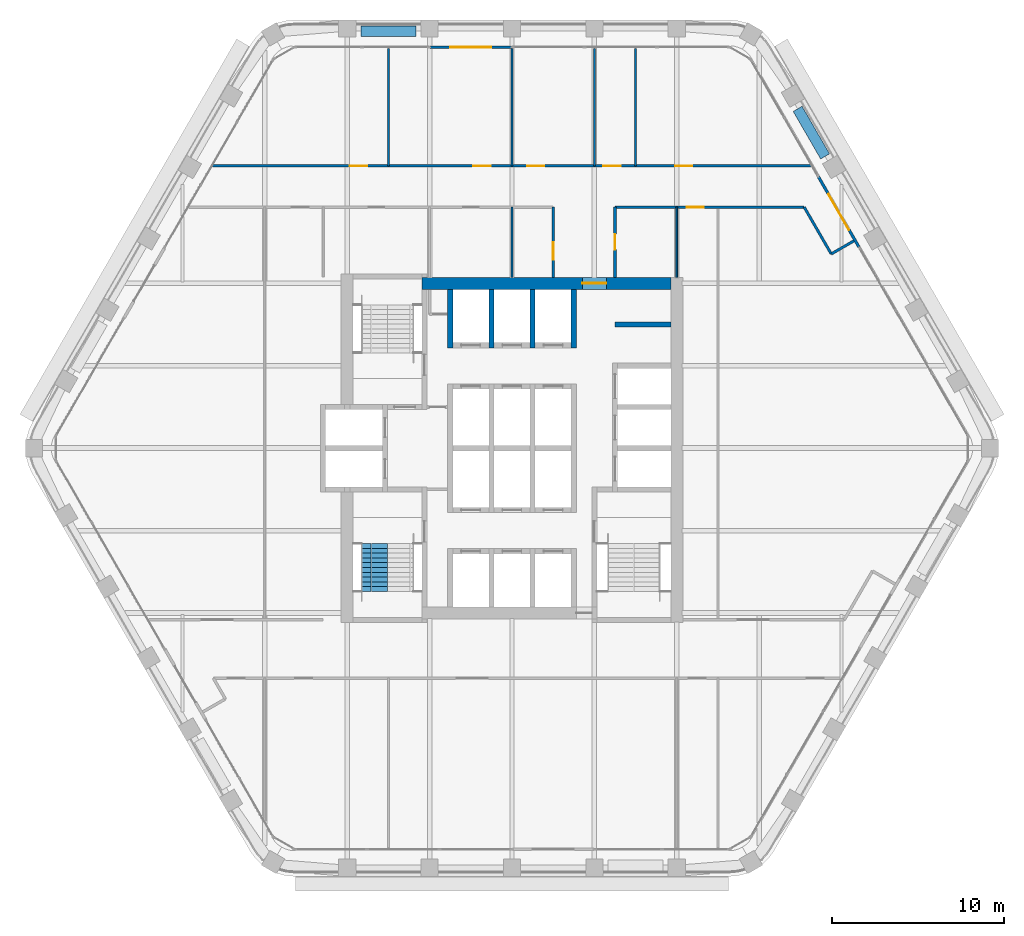
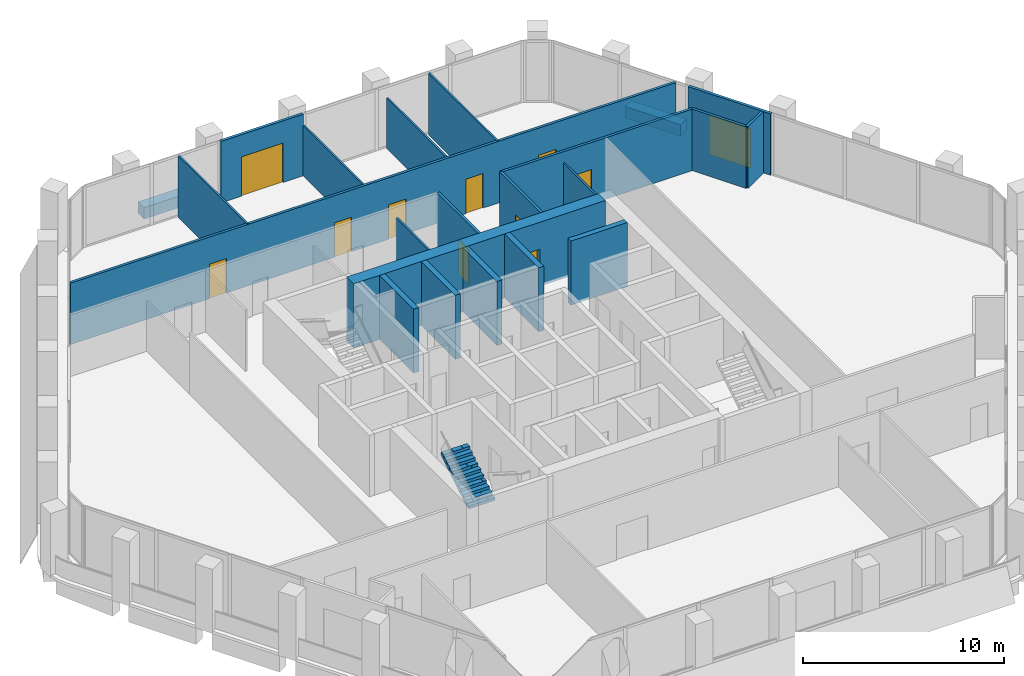
# One storey, part 11 of 15: 22 walls, 11 doors, 1 stair flight, 11 openings, 1 element without a shape of its own.
"""IFC4 building model written with IfcOpenShell, lengths in metres."""

from ifc_helpers import new_model, si_unit, direction, frame, frame_2d, origin, place, context, subcontext, project, spatial, polyline, rectangle, outline, extrude, material, layer, layer_set, type_object, element, fill, aggregate, save


model = new_model("IFC4")

# Units and contexts
model_context = context("Model", 3, precision=1e-05, world=origin(), true_north=direction((0.0, 1.0)))
body_context = subcontext(model_context, "Body", "Model", "MODEL_VIEW")
ifc_project = project(units=[si_unit("LENGTHUNIT", "METRE"), si_unit("AREAUNIT", "SQUARE_METRE"), si_unit("VOLUMEUNIT", "CUBIC_METRE"), si_unit("PLANEANGLEUNIT", "RADIAN"), si_unit("MASSUNIT", "GRAM", prefix="KILO")], contexts=[model_context])

# Site, building, storey
site_placement = place(None, origin())
site = spatial("IfcSite", under=ifc_project, at=site_placement, CompositionType="ELEMENT")
building_placement = place(site_placement, origin())
building = spatial("IfcBuilding", under=site, at=building_placement, Name="Kolab Exchange Tower", CompositionType="ELEMENT")
storey_placement = place(building_placement, frame((0.0, 0.0, 158.300048828125)))
storey = spatial("IfcBuildingStorey", under=building, at=storey_placement, Name="L32", CompositionType="ELEMENT", Elevation=158.300048828125)

# Wall, opening, door
ifc_material_1 = material(Name="Concrete C60/75", Category="concrete")
ifc_layer_1 = layer(ifc_material_1, 0.699951171875)
ifc_layer_set_1 = layer_set([ifc_layer_1], Name="Concrete C60/75")
wall_type_1 = type_object("IfcWallType", Name="CORE WALL 700 C60/75", PredefinedType="SHEAR", material=ifc_layer_set_1)
wall_1_placement = place(storey_placement, frame((-5.25, 9.60009765625, -0.150146484375), z_axis=(0.0, 0.0, 1.0), x_axis=(1.0, 0.0, 0.0)))
wall_1 = element("IfcWall", 1, at=wall_1_placement, inside=storey, type_object=wall_type_1, Name="wall/L32/core/031", PredefinedType="SHEAR", context=body_context, shape_type="SweptSolid", body=[
    extrude(rectangle(XDim=14.5, YDim=0.699951171875, at=frame_2d((7.25, 0.0))), origin(), (0.0, 0.0, 1.0), 3.900146484375),
])
opening_1_placement = place(wall_1_placement, frame((9.35009765625, 0.0, 0.14990234375)))
opening_1 = element("IfcOpeningElement", 2, at=opening_1_placement, cuts=wall_1, Name="Opening D5-010", PredefinedType="OPENING", context=body_context, shape_type="SweptSolid", body=[
    extrude(rectangle(XDim=1.39990234375, YDim=2.10009765625, at=frame_2d((0.699951171875, 1.050048828125))), frame((0.0, 0.35986328125, 0.0), z_axis=(0.0, -1.0, 0.0), x_axis=(1.0, 0.0, 0.0)), (0.0, 0.0, 1.0), 0.719970703125),
])
ifc_material_2 = material(Name="Steel S235", Category="steel")
door_type_1 = type_object("IfcDoorType", Name="CORE DOOR 1400 EI 120", OperationType="DOUBLE_DOOR_SINGLE_SWING", PredefinedType="DOOR", material=ifc_material_2)
door_1_placement = place(opening_1_placement, frame((1.39990234375, 0.0, 0.0), z_axis=(0.0, 0.0, 1.0), x_axis=(-1.0, 0.0, 0.0)))
door_1 = element("IfcDoor", 3, at=door_1_placement, inside=storey, type_object=door_type_1, Name="Core lobby door", OperationType="SINGLE_SWING_LEFT", OverallHeight=2.10009765625, OverallWidth=1.39990234375, PredefinedType="DOOR", context=body_context, shape_type="SweptSolid", body=[
    extrude(rectangle(XDim=1.39990234375, YDim=2.10009765625, at=frame_2d((0.699951171875, 1.050048828125))), frame((0.0, 0.02490234375, 0.0), z_axis=(0.0, -1.0, 0.0), x_axis=(1.0, 0.0, 0.0)), (0.0, 0.0, 1.0), 0.050048828125),
])
fill(opening_1, door_1)

ifc_material_3 = material(Name="Aluminium EN AW-6063 T6", Category="aluminium")
ifc_layer_2 = layer(ifc_material_3, 0.159912109375)
ifc_layer_set_2 = layer_set([ifc_layer_2], Name="Aluminium EN AW-6063 T6")
wall_type_2 = type_object("IfcWallType", Name="DOOR SURROUND WALL 160 ALUMINIUM FRAMED", PredefinedType="PARTITIONING", material=ifc_layer_set_2)
wall_2_placement = place(storey_placement, frame((-4.77001953125, 23.361572265625, 0.0), z_axis=(0.0, 0.0, 1.0), x_axis=(1.0, 0.0, 0.0)))
wall_2 = element("IfcWall", 4, at=wall_2_placement, inside=storey, type_object=wall_type_2, Name="Door surround wall", PredefinedType="PARTITIONING", context=body_context, shape_type="SweptSolid", body=[
    extrude(rectangle(XDim=4.739990234375, YDim=0.159912109375, at=frame_2d((2.3701171875, 0.0))), origin(), (0.0, 0.0, 1.0), 3.75),
])
opening_2_placement = place(wall_2_placement, frame((1.169921875, 0.0, 0.0)))
opening_2 = element("IfcOpeningElement", 5, at=opening_2_placement, cuts=wall_2, Name="Opening GD1-064", PredefinedType="OPENING", context=body_context, shape_type="SweptSolid", body=[
    extrude(rectangle(XDim=2.39990234375, YDim=2.39990234375, at=frame_2d((1.199951171875, 1.199951171875))), frame((0.0, 0.08984375, 0.0), z_axis=(0.0, -1.0, 0.0), x_axis=(1.0, 0.0, 0.0)), (0.0, 0.0, 1.0), 0.179931640625),
])
door_type_2 = type_object("IfcDoorType", Name="LOGGIA SLIDING GLASS DOOR 2400 X 2400", OperationType="DOUBLE_DOOR_SINGLE_SWING", PredefinedType="DOOR", material=ifc_material_3)
door_2_placement = place(opening_2_placement, origin())
door_2 = element("IfcDoor", 6, at=door_2_placement, inside=storey, type_object=door_type_2, Name="Loggia door", OperationType="DOUBLE_DOOR_SLIDING", OverallHeight=2.39990234375, OverallWidth=2.39990234375, PredefinedType="DOOR", context=body_context, shape_type="SweptSolid", body=[
    extrude(rectangle(XDim=2.39990234375, YDim=2.39990234375, at=frame_2d((1.199951171875, 1.199951171875))), frame((0.0, 0.02490234375, 0.0), z_axis=(0.0, -1.0, 0.0), x_axis=(1.0, 0.0, 0.0)), (0.0, 0.0, 1.0), 0.050048828125),
])
fill(opening_2, door_2)

wall_3_placement = place(storey_placement, frame((17.8466796875, 15.811767578125, 0.0), z_axis=(0.0, 0.0, 1.0), x_axis=(0.5000167099, -0.866015756104, 0.0)))
wall_3 = element("IfcWall", 7, at=wall_3_placement, inside=storey, type_object=wall_type_2, Name="Door surround wall", PredefinedType="PARTITIONING", context=body_context, shape_type="SweptSolid", body=[
    extrude(rectangle(XDim=4.739990234375, YDim=0.159912109375, at=frame_2d((2.3701171875, 0.0))), origin(), (0.0, 0.0, 1.0), 3.75),
])
opening_3_placement = place(wall_3_placement, frame((1.169921875, 0.0, 0.0)))
opening_3 = element("IfcOpeningElement", 8, at=opening_3_placement, cuts=wall_3, Name="Opening GD1-065", PredefinedType="OPENING", context=body_context, shape_type="SweptSolid", body=[
    extrude(rectangle(XDim=2.39990234375, YDim=2.39990234375, at=frame_2d((1.199951171875, 1.199951171875))), frame((0.0, 0.08984375, 0.0), z_axis=(0.0, -1.0, 0.0), x_axis=(1.0, 0.0, 0.0)), (0.0, 0.0, 1.0), 0.179931640625),
])
door_3_placement = place(opening_3_placement, origin())
door_3 = element("IfcDoor", 9, at=door_3_placement, inside=storey, type_object=door_type_2, Name="Loggia door", OperationType="DOUBLE_DOOR_SLIDING", OverallHeight=2.39990234375, OverallWidth=2.39990234375, PredefinedType="DOOR", context=body_context, shape_type="SweptSolid", body=[
    extrude(rectangle(XDim=2.39990234375, YDim=2.39990234375, at=frame_2d((1.199951171875, 1.199951171875))), frame((0.0, 0.02490234375, 0.0), z_axis=(0.0, -1.0, 0.0), x_axis=(1.0, 0.0, 0.0)), (0.0, 0.0, 1.0), 0.050048828125),
])
fill(opening_3, door_3)

# Walls
ifc_material_4 = material(Name="Concrete C50/60", Category="concrete")
ifc_layer_3 = layer(ifc_material_4, 0.300048828125)
ifc_layer_set_3 = layer_set([ifc_layer_3], Name="Concrete C50/60")
wall_type_3 = type_object("IfcWallType", Name="LIFT SHAFT WALL 300 C50/60", PredefinedType="STANDARD", material=ifc_layer_set_3)
wall_4_placement = place(storey_placement, frame((6.0, 7.199951171875, -0.150146484375), z_axis=(0.0, 0.0, 1.0), x_axis=(1.0, 0.0, 0.0)))
element("IfcWall", 10, at=wall_4_placement, inside=storey, type_object=wall_type_3, Name="wall/L32/core/030", PredefinedType="STANDARD", context=body_context, shape_type="SweptSolid", body=[
    extrude(rectangle(XDim=3.25, YDim=0.300048828125, at=frame_2d((1.625, 0.0))), origin(), (0.0, 0.0, 1.0), 3.900146484375),
])
for number, where, z_axis, x_axis, name in (
    (11, (-3.60009765625, 5.85009765625, -0.150146484375), (0.0, 0.0, 1.0), (0.0, 1.0, 0.0), "wall/L32/core/045"),
    (12, (-1.199951171875, 5.85009765625, -0.150146484375), (0.0, 0.0, 1.0), (0.0, 1.0, 0.0), "wall/L32/core/048"),
    (13, (1.199951171875, 5.85009765625, -0.150146484375), (0.0, 0.0, 1.0), (0.0, 1.0, 0.0), "wall/L32/core/051"),
    (14, (3.60009765625, 5.85009765625, -0.150146484375), (0.0, 0.0, 1.0), (0.0, 1.0, 0.0), "wall/L32/core/054"),
):
    element("IfcWall", number, at=place(storey_placement, frame(where, z_axis=z_axis, x_axis=x_axis)), inside=storey, type_object=wall_type_3, Name=name, PredefinedType="STANDARD", context=body_context, shape_type="SweptSolid", body=[
        extrude(rectangle(XDim=3.39990234375, YDim=0.300048828125, at=frame_2d((1.699951171875, 0.0))), origin(), (0.0, 0.0, 1.0), 3.900146484375),
    ])
ifc_material_5 = material(Name="Gypsum board", Category="gypsum")
ifc_layer_4 = layer(ifc_material_5, 0.10009765625)
ifc_layer_set_4 = layer_set([ifc_layer_4], Name="Gypsum board")
wall_type_4 = type_object("IfcWallType", Name="PARTITION 100", PredefinedType="PARTITIONING", material=ifc_layer_set_4)
wall_5_placement = place(storey_placement, frame((9.60009765625, 9.949951171875, 0.0), z_axis=(0.0, 0.0, 1.0), x_axis=(0.0, 1.0, 0.0)))
element("IfcWall", 15, at=wall_5_placement, inside=storey, type_object=wall_type_4, Name="Partition 003", PredefinedType="PARTITIONING", context=body_context, shape_type="SweptSolid", body=[
    extrude(rectangle(XDim=4.091552734375, YDim=0.10009765625, at=frame_2d((2.0458984375, 0.0))), origin(), (0.0, 0.0, 1.0), 3.06591796875),
])
wall_6_placement = place(storey_placement, frame((7.199951171875, 16.44140625, 0.0), z_axis=(0.0, 0.0, 1.0), x_axis=(0.0, 1.0, 0.0)))
element("IfcWall", 16, at=wall_6_placement, inside=storey, type_object=wall_type_4, Name="Partition 004", PredefinedType="PARTITIONING", context=body_context, shape_type="SweptSolid", body=[
    extrude(rectangle(XDim=6.830078125, YDim=0.10009765625, at=frame_2d((3.4150390625, 0.0))), origin(), (0.0, 0.0, 1.0), 3.75),
])
wall_7_placement = place(storey_placement, frame((4.800048828125, 16.44140625, 0.0), z_axis=(0.0, 0.0, 1.0), x_axis=(0.0, 1.0, 0.0)))
element("IfcWall", 17, at=wall_7_placement, inside=storey, type_object=wall_type_4, Name="Partition 006", PredefinedType="PARTITIONING", context=body_context, shape_type="SweptSolid", body=[
    extrude(rectangle(XDim=6.830078125, YDim=0.10009765625, at=frame_2d((3.4150390625, 0.0))), origin(), (0.0, 0.0, 1.0), 3.06591796875),
])
wall_8_placement = place(storey_placement, frame((0.0, 9.949951171875, 0.0), z_axis=(0.0, 0.0, 1.0), x_axis=(0.0, 1.0, 0.0)))
element("IfcWall", 18, at=wall_8_placement, inside=storey, type_object=wall_type_4, Name="Partition 008", PredefinedType="PARTITIONING", context=body_context, shape_type="SweptSolid", body=[
    extrude(rectangle(XDim=4.091552734375, YDim=0.10009765625, at=frame_2d((2.0458984375, 0.0))), origin(), (0.0, 0.0, 1.0), 3.06591796875),
])
wall_9_placement = place(storey_placement, frame((0.0, 16.44140625, 0.0), z_axis=(0.0, 0.0, 1.0), x_axis=(0.0, 1.0, 0.0)))
element("IfcWall", 19, at=wall_9_placement, inside=storey, type_object=wall_type_4, Name="Partition 009", PredefinedType="PARTITIONING", context=body_context, shape_type="SweptSolid", body=[
    extrude(rectangle(XDim=6.840087890625, YDim=0.10009765625, at=frame_2d((3.419921875, 0.0))), origin(), (0.0, 0.0, 1.0), 3.06591796875),
])
wall_10_placement = place(storey_placement, frame((-7.199951171875, 16.44140625, 0.0), z_axis=(0.0, 0.0, 1.0), x_axis=(0.0, 1.0, 0.0)))
element("IfcWall", 20, at=wall_10_placement, inside=storey, type_object=wall_type_4, Name="Partition 013", PredefinedType="PARTITIONING", context=body_context, shape_type="SweptSolid", body=[
    extrude(rectangle(XDim=6.830078125, YDim=0.10009765625, at=frame_2d((3.4150390625, 0.0))), origin(), (0.0, 0.0, 1.0), 3.75),
])

# Wall, opening, door
ifc_layer_5 = layer(ifc_material_5, 0.14990234375)
ifc_layer_set_5 = layer_set([ifc_layer_5], Name="Gypsum board")
wall_type_5 = type_object("IfcWallType", Name="PARTITION 150 FIRE-RATED", PredefinedType="PARTITIONING", material=ifc_layer_set_5)
wall_11_placement = place(storey_placement, frame((6.0, 9.949951171875, 0.0), z_axis=(0.0, 0.0, 1.0), x_axis=(0.0, 1.0, 0.0)))
wall_11 = element("IfcWall", 21, at=wall_11_placement, inside=storey, type_object=wall_type_5, Name="Partition 005", PredefinedType="PARTITIONING", context=body_context, shape_type="SweptSolid", body=[
    extrude(rectangle(XDim=4.091552734375, YDim=0.14990234375, at=frame_2d((2.0458984375, 0.0))), origin(), (0.0, 0.0, 1.0), 3.75),
])
opening_4_placement = place(wall_11_placement, frame((1.620849609375, 0.0, 0.0)))
opening_4 = element("IfcOpeningElement", 22, at=opening_4_placement, cuts=wall_11, Name="Opening D3-045", PredefinedType="OPENING", context=body_context, shape_type="SweptSolid", body=[
    extrude(rectangle(XDim=0.89990234375, YDim=2.10009765625, at=frame_2d((0.449951171875, 1.050048828125))), frame((0.0, 0.0849609375, 0.0), z_axis=(0.0, -1.0, 0.0), x_axis=(1.0, 0.0, 0.0)), (0.0, 0.0, 1.0), 0.169921875),
])
door_type_3 = type_object("IfcDoorType", Name="FLUSH DOOR 900 FD60", OperationType="SINGLE_SWING_LEFT", PredefinedType="DOOR", material=ifc_material_2)
door_4_placement = place(opening_4_placement, frame((0.89990234375, 0.0, 0.0), z_axis=(0.0, 0.0, 1.0), x_axis=(-1.0, 0.0, 0.0)))
door_4 = element("IfcDoor", 23, at=door_4_placement, inside=storey, type_object=door_type_3, Name="Door L32-029", OperationType="SINGLE_SWING_RIGHT", OverallHeight=2.10009765625, OverallWidth=0.89990234375, PredefinedType="DOOR", context=body_context, shape_type="SweptSolid", body=[
    extrude(rectangle(XDim=0.89990234375, YDim=2.10009765625, at=frame_2d((0.449951171875, 1.050048828125))), frame((0.0, 0.02490234375, 0.0), z_axis=(0.0, -1.0, 0.0), x_axis=(1.0, 0.0, 0.0)), (0.0, 0.0, 1.0), 0.050048828125),
])
fill(opening_4, door_4)

wall_12_placement = place(storey_placement, frame((2.39990234375, 9.949951171875, 0.0), z_axis=(0.0, 0.0, 1.0), x_axis=(0.0, 1.0, 0.0)))
wall_12 = element("IfcWall", 24, at=wall_12_placement, inside=storey, type_object=wall_type_5, Name="Partition 007", PredefinedType="PARTITIONING", context=body_context, shape_type="SweptSolid", body=[
    extrude(rectangle(XDim=4.091552734375, YDim=0.14990234375, at=frame_2d((2.0458984375, 0.0))), origin(), (0.0, 0.0, 1.0), 3.75),
])
opening_5_placement = place(wall_12_placement, frame((1.035400390625, 0.0, 0.0)))
opening_5 = element("IfcOpeningElement", 25, at=opening_5_placement, cuts=wall_12, Name="Opening D1-447", PredefinedType="OPENING", context=body_context, shape_type="SweptSolid", body=[
    extrude(rectangle(XDim=1.0, YDim=2.10009765625, at=frame_2d((0.5, 1.050048828125))), frame((0.0, 0.0849609375, 0.0), z_axis=(0.0, -1.0, 0.0), x_axis=(1.0, 0.0, 0.0)), (0.0, 0.0, 1.0), 0.169921875),
])
door_type_4 = type_object("IfcDoorType", Name="FLUSH DOOR 1000 FD60", OperationType="SINGLE_SWING_LEFT", PredefinedType="DOOR", material=ifc_material_2)
door_5_placement = place(opening_5_placement, origin())
door_5 = element("IfcDoor", 26, at=door_5_placement, inside=storey, type_object=door_type_4, Name="Door L32-032", OperationType="SINGLE_SWING_LEFT", OverallHeight=2.10009765625, OverallWidth=1.0, PredefinedType="DOOR", context=body_context, shape_type="SweptSolid", body=[
    extrude(rectangle(XDim=1.0, YDim=2.10009765625, at=frame_2d((0.5, 1.050048828125))), frame((0.0, 0.02490234375, 0.0), z_axis=(0.0, -1.0, 0.0), x_axis=(1.0, 0.0, 0.0)), (0.0, 0.0, 1.0), 0.050048828125),
])
fill(opening_5, door_5)

# Walls
wall_13_placement = place(storey_placement, frame((17.021240234375, 14.04150390625, 0.0), z_axis=(0.0, 0.0, 1.0), x_axis=(0.499957296199, -0.866050057432, 0.0)))
element("IfcWall", 27, at=wall_13_placement, inside=storey, type_object=wall_type_5, Name="Partition 018", PredefinedType="PARTITIONING", context=body_context, shape_type="SweptSolid", body=[
    extrude(rectangle(XDim=3.149658203125, YDim=0.14990234375, at=frame_2d((1.57470703125, 0.0))), origin(), (0.0, 0.0, 1.0), 3.75),
])
wall_14_placement = place(storey_placement, frame((18.595947265625, 11.313720703125, 0.0), z_axis=(0.0, 0.0, 1.0), x_axis=(0.866030456496, 0.499991248344, 0.0)))
element("IfcWall", 28, at=wall_14_placement, inside=storey, type_object=wall_type_5, Name="Partition 022", PredefinedType="PARTITIONING", context=body_context, shape_type="SweptSolid", body=[
    extrude(rectangle(XDim=1.52001953125, YDim=0.14990234375, at=frame_2d((0.760009765625, 0.0))), origin(), (0.0, 0.0, 1.0), 3.75),
])

# Wall, opening, door
wall_15_placement = place(storey_placement, frame((6.0, 14.04150390625, 0.0), z_axis=(0.0, 0.0, 1.0), x_axis=(1.0, 0.0, 0.0)))
wall_15 = element("IfcWall", 29, at=wall_15_placement, inside=storey, type_object=wall_type_5, Name="Partition 028", PredefinedType="PARTITIONING", context=body_context, shape_type="SweptSolid", body=[
    extrude(rectangle(XDim=11.021240234375, YDim=0.14990234375, at=frame_2d((5.5107421875, 0.0))), origin(), (0.0, 0.0, 1.0), 3.75),
])
opening_6_placement = place(wall_15_placement, frame((4.175048828125, 0.0, 0.0)))
opening_6 = element("IfcOpeningElement", 30, at=opening_6_placement, cuts=wall_15, Name="Opening D1-457", PredefinedType="OPENING", context=body_context, shape_type="SweptSolid", body=[
    extrude(rectangle(XDim=1.0, YDim=2.10009765625, at=frame_2d((0.5, 1.050048828125))), frame((0.0, 0.0849609375, 0.0), z_axis=(0.0, -1.0, 0.0), x_axis=(1.0, 0.0, 0.0)), (0.0, 0.0, 1.0), 0.169921875),
])
door_6_placement = place(opening_6_placement, frame((1.0, 0.0, 0.0), z_axis=(0.0, 0.0, 1.0), x_axis=(-1.0, 0.0, 0.0)))
door_6 = element("IfcDoor", 31, at=door_6_placement, inside=storey, type_object=door_type_4, Name="Door L32-043", OperationType="SINGLE_SWING_LEFT", OverallHeight=2.10009765625, OverallWidth=1.0, PredefinedType="DOOR", context=body_context, shape_type="SweptSolid", body=[
    extrude(rectangle(XDim=1.0, YDim=2.10009765625, at=frame_2d((0.5, 1.050048828125))), frame((0.0, 0.02490234375, 0.0), z_axis=(0.0, -1.0, 0.0), x_axis=(1.0, 0.0, 0.0)), (0.0, 0.0, 1.0), 0.050048828125),
])
fill(opening_6, door_6)

# Wall, openings, doors
wall_16_placement = place(storey_placement, frame((-17.43701171875, 16.44140625, 0.0), z_axis=(0.0, 0.0, 1.0), x_axis=(1.0, 0.0, 0.0)))
wall_16 = element("IfcWall", 32, at=wall_16_placement, inside=storey, type_object=wall_type_5, Name="Partition 029", PredefinedType="PARTITIONING", context=body_context, shape_type="SweptSolid", body=[
    extrude(rectangle(XDim=34.8740234375, YDim=0.14990234375, at=frame_2d((17.43701171875, 0.0))), origin(), (0.0, 0.0, 1.0), 3.75),
])
opening_7_placement = place(wall_16_placement, frame((7.991943359375, 0.0, 0.0)))
opening_7 = element("IfcOpeningElement", 33, at=opening_7_placement, cuts=wall_16, Name="Opening D1-448", PredefinedType="OPENING", context=body_context, shape_type="SweptSolid", body=[
    extrude(rectangle(XDim=1.0, YDim=2.10009765625, at=frame_2d((0.5, 1.050048828125))), frame((0.0, 0.0849609375, 0.0), z_axis=(0.0, -1.0, 0.0), x_axis=(1.0, 0.0, 0.0)), (0.0, 0.0, 1.0), 0.169921875),
])
opening_8_placement = place(wall_16_placement, frame((15.19189453125, 0.0, 0.0)))
opening_8 = element("IfcOpeningElement", 34, at=opening_8_placement, cuts=wall_16, Name="Opening D1-449", PredefinedType="OPENING", context=body_context, shape_type="SweptSolid", body=[
    extrude(rectangle(XDim=1.0, YDim=2.10009765625, at=frame_2d((0.5, 1.050048828125))), frame((0.0, 0.0849609375, 0.0), z_axis=(0.0, -1.0, 0.0), x_axis=(1.0, 0.0, 0.0)), (0.0, 0.0, 1.0), 0.169921875),
])
opening_9_placement = place(wall_16_placement, frame((18.322021484375, 0.0, 0.0)))
opening_9 = element("IfcOpeningElement", 35, at=opening_9_placement, cuts=wall_16, Name="Opening D1-450", PredefinedType="OPENING", context=body_context, shape_type="SweptSolid", body=[
    extrude(rectangle(XDim=1.0, YDim=2.10009765625, at=frame_2d((0.5, 1.050048828125))), frame((0.0, 0.0849609375, 0.0), z_axis=(0.0, -1.0, 0.0), x_axis=(1.0, 0.0, 0.0)), (0.0, 0.0, 1.0), 0.169921875),
])
opening_10_placement = place(wall_16_placement, frame((22.761962890625, 0.0, 0.0)))
opening_10 = element("IfcOpeningElement", 36, at=opening_10_placement, cuts=wall_16, Name="Opening D1-451", PredefinedType="OPENING", context=body_context, shape_type="SweptSolid", body=[
    extrude(rectangle(XDim=1.0, YDim=2.10009765625, at=frame_2d((0.5, 1.050048828125))), frame((0.0, 0.0849609375, 0.0), z_axis=(0.0, -1.0, 0.0), x_axis=(1.0, 0.0, 0.0)), (0.0, 0.0, 1.0), 0.169921875),
])
opening_11_placement = place(wall_16_placement, frame((26.94189453125, 0.0, 0.0)))
opening_11 = element("IfcOpeningElement", 37, at=opening_11_placement, cuts=wall_16, Name="Opening D1-452", PredefinedType="OPENING", context=body_context, shape_type="SweptSolid", body=[
    extrude(rectangle(XDim=1.0, YDim=2.10009765625, at=frame_2d((0.5, 1.050048828125))), frame((0.0, 0.0849609375, 0.0), z_axis=(0.0, -1.0, 0.0), x_axis=(1.0, 0.0, 0.0)), (0.0, 0.0, 1.0), 0.169921875),
])
door_7_placement = place(opening_7_placement, origin())
door_7 = element("IfcDoor", 38, at=door_7_placement, inside=storey, type_object=door_type_4, Name="Door L32-033", OperationType="SINGLE_SWING_RIGHT", OverallHeight=2.10009765625, OverallWidth=1.0, PredefinedType="DOOR", context=body_context, shape_type="SweptSolid", body=[
    extrude(rectangle(XDim=1.0, YDim=2.10009765625, at=frame_2d((0.5, 1.050048828125))), frame((0.0, 0.02490234375, 0.0), z_axis=(0.0, -1.0, 0.0), x_axis=(1.0, 0.0, 0.0)), (0.0, 0.0, 1.0), 0.050048828125),
])
fill(opening_7, door_7)
door_8_placement = place(opening_8_placement, origin())
door_8 = element("IfcDoor", 39, at=door_8_placement, inside=storey, type_object=door_type_4, Name="Door L32-034", OperationType="SINGLE_SWING_RIGHT", OverallHeight=2.10009765625, OverallWidth=1.0, PredefinedType="DOOR", context=body_context, shape_type="SweptSolid", body=[
    extrude(rectangle(XDim=1.0, YDim=2.10009765625, at=frame_2d((0.5, 1.050048828125))), frame((0.0, 0.02490234375, 0.0), z_axis=(0.0, -1.0, 0.0), x_axis=(1.0, 0.0, 0.0)), (0.0, 0.0, 1.0), 0.050048828125),
])
fill(opening_8, door_8)
door_9_placement = place(opening_9_placement, origin())
door_9 = element("IfcDoor", 40, at=door_9_placement, inside=storey, type_object=door_type_4, Name="Door L32-035", OperationType="SINGLE_SWING_LEFT", OverallHeight=2.10009765625, OverallWidth=1.0, PredefinedType="DOOR", context=body_context, shape_type="SweptSolid", body=[
    extrude(rectangle(XDim=1.0, YDim=2.10009765625, at=frame_2d((0.5, 1.050048828125))), frame((0.0, 0.02490234375, 0.0), z_axis=(0.0, -1.0, 0.0), x_axis=(1.0, 0.0, 0.0)), (0.0, 0.0, 1.0), 0.050048828125),
])
fill(opening_9, door_9)
door_10_placement = place(opening_10_placement, origin())
door_10 = element("IfcDoor", 41, at=door_10_placement, inside=storey, type_object=door_type_4, Name="Door L32-036", OperationType="SINGLE_SWING_LEFT", OverallHeight=2.10009765625, OverallWidth=1.0, PredefinedType="DOOR", context=body_context, shape_type="SweptSolid", body=[
    extrude(rectangle(XDim=1.0, YDim=2.10009765625, at=frame_2d((0.5, 1.050048828125))), frame((0.0, 0.02490234375, 0.0), z_axis=(0.0, -1.0, 0.0), x_axis=(1.0, 0.0, 0.0)), (0.0, 0.0, 1.0), 0.050048828125),
])
fill(opening_10, door_10)
door_11_placement = place(opening_11_placement, origin())
door_11 = element("IfcDoor", 42, at=door_11_placement, inside=storey, type_object=door_type_4, Name="Door L32-037", OperationType="SINGLE_SWING_LEFT", OverallHeight=2.10009765625, OverallWidth=1.0, PredefinedType="DOOR", context=body_context, shape_type="SweptSolid", body=[
    extrude(rectangle(XDim=1.0, YDim=2.10009765625, at=frame_2d((0.5, 1.050048828125))), frame((0.0, 0.02490234375, 0.0), z_axis=(0.0, -1.0, 0.0), x_axis=(1.0, 0.0, 0.0)), (0.0, 0.0, 1.0), 0.050048828125),
])
fill(opening_11, door_11)

# Walls
ifc_material_6 = material(Name="Granite facing", Category="masonry")
ifc_layer_6 = layer(ifc_material_6, 0.0400390625)
ifc_material_7 = material(Name="Concrete C40/50 precast", Category="concrete")
ifc_layer_7 = layer(ifc_material_7, 0.56005859375)
ifc_layer_set_6 = layer_set([ifc_layer_6, ifc_layer_7], Name="Concrete C40/50 precast")
wall_type_6 = type_object("IfcWallType", Name="PLANTER BOX 600 X 700 SOIL DEPTH 550", PredefinedType="USERDEFINED", material=ifc_layer_set_6)
for number, where, z_axis, x_axis, name in (
    (43, (-8.800048828125, 24.29150390625, 0.0), (0.0, 0.0, 1.0), (1.0, 0.0, 0.0), "Planter"),
    (44, (16.636962890625, 19.766845703125, 0.0), (0.0, 0.0, 1.0), (0.500028443584, -0.866008981251, 0.0), "Planter"),
):
    element("IfcWall", number, at=place(storey_placement, frame(where, z_axis=z_axis, x_axis=x_axis)), inside=storey, type_object=wall_type_6, Name=name, ObjectType="PLANTER", PredefinedType="USERDEFINED", context=body_context, shape_type="SweptSolid", body=[
        extrude(rectangle(XDim=3.199951171875, YDim=0.60009765625, at=frame_2d((1.60009765625, 0.0))), origin(), (0.0, 0.0, 1.0), 0.699951171875),
    ])

# Stair, stair flight
stair_type = type_object("IfcStairType", Name="STAIR ST3 RISER 177.3", PredefinedType="HALF_TURN_STAIR", material=ifc_material_4)
stair_placement = place(storey_placement, origin())
stair = element("IfcStair", 45, at=stair_placement, inside=storey, type_object=stair_type, Name="Stair 3", PredefinedType="HALF_TURN_STAIR")
stair_flight_type = type_object("IfcStairFlightType", Name="STAIR FLIGHT 1500 RISER 177.3", PredefinedType="STRAIGHT", material=ifc_material_4)
stair_flight_placement = place(storey_placement, frame((-8.010009765625, -8.35009765625, 1.949951171875), z_axis=(0.0, 0.0, 1.0), x_axis=(0.0, 1.0, 0.0)))
stair_flight = element("IfcStairFlight", 46, at=stair_flight_placement, type_object=stair_flight_type, Name="ST3 flight 2", NumberOfRisers=11, NumberOfTreads=10, PredefinedType="STRAIGHT", RiserHeight=0.177272727, TreadLength=0.28, context=body_context, shape_type="SweptSolid", body=[
    extrude(outline(polyline([(0.0, 0.0), (0.0, 0.17724609375), (0.280029296875, 0.17724609375), (0.280029296875, 0.3544921875), (0.56005859375, 0.3544921875), (0.56005859375, 0.53173828125), (0.840087890625, 0.53173828125), (0.840087890625, 0.708984375), (1.1201171875, 0.708984375), (1.1201171875, 0.886474609375), (1.39990234375, 0.886474609375), (1.39990234375, 1.063720703125), (1.679931640625, 1.063720703125), (1.679931640625, 1.240966796875), (1.9599609375, 1.240966796875), (1.9599609375, 1.418212890625), (2.239990234375, 1.418212890625), (2.239990234375, 1.595458984375), (2.52001953125, 1.595458984375), (2.52001953125, 1.772705078125), (2.800048828125, 1.772705078125), (2.800048828125, 1.949951171875), (2.800048828125, 1.59521484375), (0.2802734375, 0.0), (0.0, 0.0)])), frame((0.0, 0.75, 0.0), z_axis=(0.0, -1.0, 0.0), x_axis=(1.0, 0.0, 0.0)), (0.0, 0.0, 1.0), 0.185791015625),
    extrude(outline(polyline([(0.0, 0.0), (0.0, 0.17724609375), (0.280029296875, 0.17724609375), (0.280029296875, 0.3544921875), (0.56005859375, 0.3544921875), (0.56005859375, 0.53173828125), (0.840087890625, 0.53173828125), (0.840087890625, 0.708984375), (1.1201171875, 0.708984375), (1.1201171875, 0.886474609375), (1.39990234375, 0.886474609375), (1.39990234375, 1.063720703125), (1.679931640625, 1.063720703125), (1.679931640625, 1.240966796875), (1.9599609375, 1.240966796875), (1.9599609375, 1.418212890625), (2.239990234375, 1.418212890625), (2.239990234375, 1.595458984375), (2.52001953125, 1.595458984375), (2.52001953125, 1.772705078125), (2.800048828125, 1.772705078125), (2.800048828125, 1.949951171875), (2.800048828125, 1.59521484375), (0.2802734375, 0.0), (0.0, 0.0)])), frame((0.0, 0.562255859375, 0.0), z_axis=(0.0, -1.0, 0.0), x_axis=(1.0, 0.0, 0.0)), (0.0, 0.0, 1.0), 0.185791015625),
    extrude(outline(polyline([(0.0, 0.0), (0.0, 0.17724609375), (0.280029296875, 0.17724609375), (0.280029296875, 0.3544921875), (0.56005859375, 0.3544921875), (0.56005859375, 0.53173828125), (0.840087890625, 0.53173828125), (0.840087890625, 0.708984375), (1.1201171875, 0.708984375), (1.1201171875, 0.886474609375), (1.39990234375, 0.886474609375), (1.39990234375, 1.063720703125), (1.679931640625, 1.063720703125), (1.679931640625, 1.240966796875), (1.9599609375, 1.240966796875), (1.9599609375, 1.418212890625), (2.239990234375, 1.418212890625), (2.239990234375, 1.595458984375), (2.52001953125, 1.595458984375), (2.52001953125, 1.772705078125), (2.800048828125, 1.772705078125), (2.800048828125, 1.949951171875), (2.800048828125, 1.59521484375), (0.2802734375, 0.0), (0.0, 0.0)])), frame((0.0, 0.37451171875, 0.0), z_axis=(0.0, -1.0, 0.0), x_axis=(1.0, 0.0, 0.0)), (0.0, 0.0, 1.0), 0.185791015625),
    extrude(outline(polyline([(0.0, 0.0), (0.0, 0.17724609375), (0.280029296875, 0.17724609375), (0.280029296875, 0.3544921875), (0.56005859375, 0.3544921875), (0.56005859375, 0.53173828125), (0.840087890625, 0.53173828125), (0.840087890625, 0.708984375), (1.1201171875, 0.708984375), (1.1201171875, 0.886474609375), (1.39990234375, 0.886474609375), (1.39990234375, 1.063720703125), (1.679931640625, 1.063720703125), (1.679931640625, 1.240966796875), (1.9599609375, 1.240966796875), (1.9599609375, 1.418212890625), (2.239990234375, 1.418212890625), (2.239990234375, 1.595458984375), (2.52001953125, 1.595458984375), (2.52001953125, 1.772705078125), (2.800048828125, 1.772705078125), (2.800048828125, 1.949951171875), (2.800048828125, 1.59521484375), (0.2802734375, 0.0), (0.0, 0.0)])), frame((0.0, 0.186767578125, 0.0), z_axis=(0.0, -1.0, 0.0), x_axis=(1.0, 0.0, 0.0)), (0.0, 0.0, 1.0), 0.185791015625),
    extrude(outline(polyline([(0.0, 0.0), (0.0, 0.17724609375), (0.280029296875, 0.17724609375), (0.280029296875, 0.3544921875), (0.56005859375, 0.3544921875), (0.56005859375, 0.53173828125), (0.840087890625, 0.53173828125), (0.840087890625, 0.708984375), (1.1201171875, 0.708984375), (1.1201171875, 0.886474609375), (1.39990234375, 0.886474609375), (1.39990234375, 1.063720703125), (1.679931640625, 1.063720703125), (1.679931640625, 1.240966796875), (1.9599609375, 1.240966796875), (1.9599609375, 1.418212890625), (2.239990234375, 1.418212890625), (2.239990234375, 1.595458984375), (2.52001953125, 1.595458984375), (2.52001953125, 1.772705078125), (2.800048828125, 1.772705078125), (2.800048828125, 1.949951171875), (2.800048828125, 1.59521484375), (0.2802734375, 0.0), (0.0, 0.0)])), frame((0.0, -0.0009765625, 0.0), z_axis=(0.0, -1.0, 0.0), x_axis=(1.0, 0.0, 0.0)), (0.0, 0.0, 1.0), 0.185791015625),
    extrude(outline(polyline([(0.0, 0.0), (0.0, 0.17724609375), (0.280029296875, 0.17724609375), (0.280029296875, 0.3544921875), (0.56005859375, 0.3544921875), (0.56005859375, 0.53173828125), (0.840087890625, 0.53173828125), (0.840087890625, 0.708984375), (1.1201171875, 0.708984375), (1.1201171875, 0.886474609375), (1.39990234375, 0.886474609375), (1.39990234375, 1.063720703125), (1.679931640625, 1.063720703125), (1.679931640625, 1.240966796875), (1.9599609375, 1.240966796875), (1.9599609375, 1.418212890625), (2.239990234375, 1.418212890625), (2.239990234375, 1.595458984375), (2.52001953125, 1.595458984375), (2.52001953125, 1.772705078125), (2.800048828125, 1.772705078125), (2.800048828125, 1.949951171875), (2.800048828125, 1.59521484375), (0.2802734375, 0.0), (0.0, 0.0)])), frame((0.0, -0.188720703125, 0.0), z_axis=(0.0, -1.0, 0.0), x_axis=(1.0, 0.0, 0.0)), (0.0, 0.0, 1.0), 0.185791015625),
    extrude(outline(polyline([(0.0, 0.0), (0.0, 0.17724609375), (0.280029296875, 0.17724609375), (0.280029296875, 0.3544921875), (0.56005859375, 0.3544921875), (0.56005859375, 0.53173828125), (0.840087890625, 0.53173828125), (0.840087890625, 0.708984375), (1.1201171875, 0.708984375), (1.1201171875, 0.886474609375), (1.39990234375, 0.886474609375), (1.39990234375, 1.063720703125), (1.679931640625, 1.063720703125), (1.679931640625, 1.240966796875), (1.9599609375, 1.240966796875), (1.9599609375, 1.418212890625), (2.239990234375, 1.418212890625), (2.239990234375, 1.595458984375), (2.52001953125, 1.595458984375), (2.52001953125, 1.772705078125), (2.800048828125, 1.772705078125), (2.800048828125, 1.949951171875), (2.800048828125, 1.59521484375), (0.2802734375, 0.0), (0.0, 0.0)])), frame((0.0, -0.37646484375, 0.0), z_axis=(0.0, -1.0, 0.0), x_axis=(1.0, 0.0, 0.0)), (0.0, 0.0, 1.0), 0.185791015625),
    extrude(outline(polyline([(0.0, 0.0), (0.0, 0.17724609375), (0.280029296875, 0.17724609375), (0.280029296875, 0.3544921875), (0.56005859375, 0.3544921875), (0.56005859375, 0.53173828125), (0.840087890625, 0.53173828125), (0.840087890625, 0.708984375), (1.1201171875, 0.708984375), (1.1201171875, 0.886474609375), (1.39990234375, 0.886474609375), (1.39990234375, 1.063720703125), (1.679931640625, 1.063720703125), (1.679931640625, 1.240966796875), (1.9599609375, 1.240966796875), (1.9599609375, 1.418212890625), (2.239990234375, 1.418212890625), (2.239990234375, 1.595458984375), (2.52001953125, 1.595458984375), (2.52001953125, 1.772705078125), (2.800048828125, 1.772705078125), (2.800048828125, 1.949951171875), (2.800048828125, 1.59521484375), (0.2802734375, 0.0), (0.0, 0.0)])), frame((0.0, -0.564208984375, 0.0), z_axis=(0.0, -1.0, 0.0), x_axis=(1.0, 0.0, 0.0)), (0.0, 0.0, 1.0), 0.185791015625),
])
aggregate(stair, [stair_flight])

save(model, "model.ifc")
